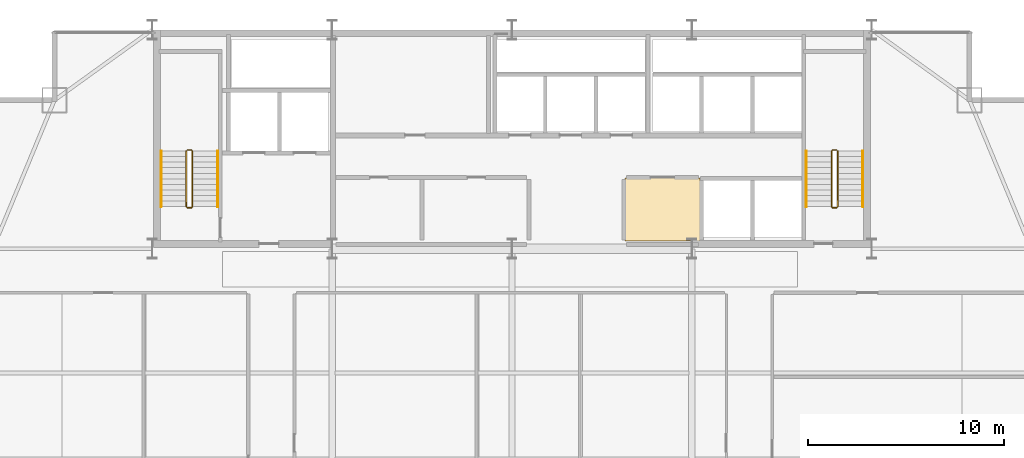
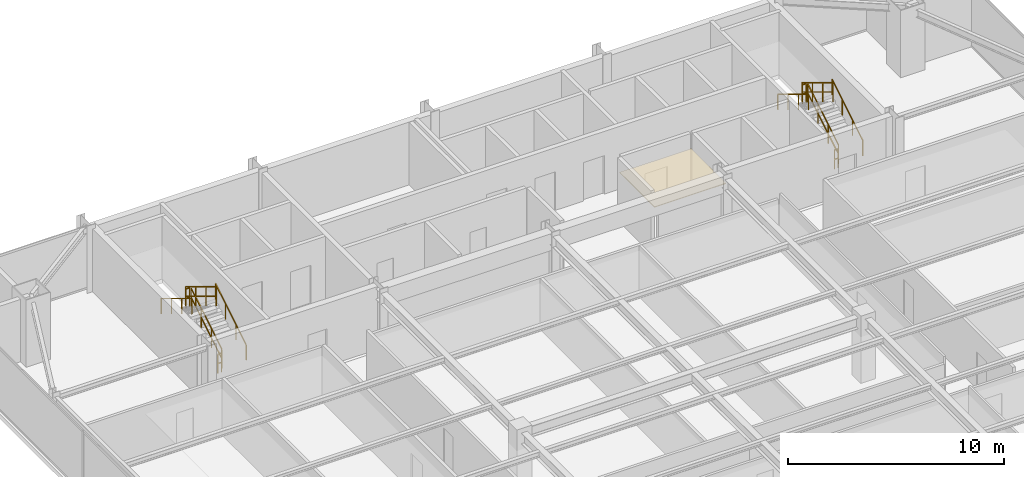
# One storey, part 31 of 31: 12 railings, 1 covering.
"""IFC4 building model written with IfcOpenShell, lengths in metres."""

from ifc_helpers import new_model, si_unit, direction, frame, origin, origin_2d, place, context, subcontext, project, spatial, polyline, rectangle, outline, extrude, material, layer, layer_set, type_object, element, save


model = new_model("IFC4")

# Units and contexts
model_context = context("Model", 3, precision=1e-05, world=origin(), true_north=direction((0.0, 1.0)))
body_context = subcontext(model_context, "Body", "Model", "MODEL_VIEW")
ifc_project = project(units=[si_unit("LENGTHUNIT", "METRE"), si_unit("AREAUNIT", "SQUARE_METRE"), si_unit("VOLUMEUNIT", "CUBIC_METRE"), si_unit("PLANEANGLEUNIT", "RADIAN"), si_unit("MASSUNIT", "GRAM", prefix="KILO")], contexts=[model_context])

# Site, building, storey
site_placement = place(None, origin())
site = spatial("IfcSite", under=ifc_project, at=site_placement, CompositionType="ELEMENT")
building_placement = place(site_placement, origin())
building = spatial("IfcBuilding", under=site, at=building_placement, Name="Varnel Quay Broadcast Tower", CompositionType="ELEMENT")
storey_placement = place(building_placement, frame((0.0, 0.0, 183.800048828125)))
storey = spatial("IfcBuildingStorey", under=building, at=storey_placement, Name="L45", CompositionType="ELEMENT", Elevation=183.800048828125)

# Covering
ifc_material_1 = material(Name="Micro-Perforated Acoustic Ceiling Tile")
ifc_layer = layer(ifc_material_1, 0.0400390625, Name="Micro-Perforated Acoustic Ceiling Tile")
ifc_layer_set = layer_set([ifc_layer], Name="Micro-Perforated Acoustic Ceiling Tile")
covering_type = type_object("IfcCoveringType", Name="Cov_AcousticCeiling", PredefinedType="CEILING", material=ifc_layer_set)
covering_placement = place(storey_placement, frame((0.0, 0.0, 2.579833984375)))
element("IfcCovering", 1, at=covering_placement, inside=storey, type_object=covering_type, Name="L45 Electrical Sub-Distribution Closet Acoustic Ceiling", PredefinedType="CEILING", context=body_context, shape_type="SweptSolid", body=[
    extrude(outline(polyline([(39.784912109375, 35.985107421875), (43.614990234375, 35.985107421875), (43.614990234375, 39.215087890625), (39.784912109375, 39.215087890625), (39.784912109375, 35.985107421875)])), origin(), (0.0, 0.0, 1.0), 0.0400390625),
])

# Railings
ifc_material_2 = material(Name="Painted Steel Guard and Handrail CSA G40.21 350W", Category="steel")
railing_type_1 = type_object("IfcRailingType", Name="Rail_StairGuard1100", PredefinedType="GUARDRAIL", material=ifc_material_2)
railing_1_placement = place(storey_placement, frame((17.64990234375, 37.75, 0.172607421875)))
element("IfcRailing", 2, at=railing_1_placement, inside=storey, type_object=railing_type_1, Name="L45 ST-01 stair guard 1", PredefinedType="GUARDRAIL", context=body_context, shape_type="SweptSolid", body=[
    extrude(rectangle(XDim=0.048095703125, YDim=0.048095703125, at=origin_2d()), frame((0.0, 0.0, 1.076171875), z_axis=(0.0, 0.855202751398, 0.518293598264), x_axis=(-1.0, 0.0, 0.0)), (0.0, 0.0, 1.0), 3.332763671875),
    extrude(rectangle(XDim=0.048095703125, YDim=0.048095703125, at=origin_2d()), frame((0.0, 0.0, 0.550048828125), z_axis=(0.0, 0.855202751398, 0.518293598264), x_axis=(-1.0, 0.0, 0.0)), (0.0, 0.0, 1.0), 3.332763671875),
    extrude(rectangle(XDim=0.0419921875, YDim=0.0419921875, at=origin_2d()), origin(), (0.0, 0.0, 1.0), 1.052001953125),
    extrude(rectangle(XDim=0.0419921875, YDim=0.0419921875, at=origin_2d()), frame((0.0, 0.949951171875, 0.57568359375)), (0.0, 0.0, 1.0), 1.052001953125),
    extrude(rectangle(XDim=0.0419921875, YDim=0.0419921875, at=origin_2d()), frame((0.0, 1.900146484375, 1.151611328125)), (0.0, 0.0, 1.0), 1.052001953125),
    extrude(rectangle(XDim=0.0419921875, YDim=0.0419921875, at=origin_2d()), frame((0.0, 2.85009765625, 1.727294921875)), (0.0, 0.0, 1.0), 1.052001953125),
])
railing_2_placement = place(storey_placement, frame((17.60009765625, 40.64990234375, 1.89990234375)))
element("IfcRailing", 3, at=railing_2_placement, inside=storey, type_object=railing_type_1, Name="L45 ST-01 stair guard 2", PredefinedType="GUARDRAIL", context=body_context, shape_type="SweptSolid", body=[
    extrude(rectangle(XDim=0.048095703125, YDim=0.048095703125, at=origin_2d()), frame((0.0, 0.0, 1.076171875), z_axis=(-1.0, 0.0, 0.0), x_axis=(0.0, -1.0, 0.0)), (0.0, 0.0, 1.0), 0.2001953125),
    extrude(rectangle(XDim=0.048095703125, YDim=0.048095703125, at=origin_2d()), frame((0.0, 0.0, 0.550048828125), z_axis=(-1.0, 0.0, 0.0), x_axis=(0.0, -1.0, 0.0)), (0.0, 0.0, 1.0), 0.2001953125),
    extrude(rectangle(XDim=0.0419921875, YDim=0.0419921875, at=origin_2d()), origin(), (0.0, 0.0, 1.0), 1.052001953125),
    extrude(rectangle(XDim=0.0419921875, YDim=0.0419921875, at=origin_2d()), frame((-0.2001953125, 0.0, 0.0)), (0.0, 0.0, 1.0), 1.052001953125),
])
railing_3_placement = place(storey_placement, frame((17.35009765625, 40.60009765625, 2.07275390625)))
element("IfcRailing", 4, at=railing_3_placement, inside=storey, type_object=railing_type_1, Name="L45 ST-01 stair guard 3", PredefinedType="GUARDRAIL", context=body_context, shape_type="SweptSolid", body=[
    extrude(rectangle(XDim=0.048095703125, YDim=0.048095703125, at=origin_2d()), frame((0.0, 0.0, 1.076171875), z_axis=(0.0, -0.855202751398, 0.518293598264), x_axis=(1.0, 0.0, 0.0)), (0.0, 0.0, 1.0), 3.332763671875),
    extrude(rectangle(XDim=0.048095703125, YDim=0.048095703125, at=origin_2d()), frame((0.0, 0.0, 0.550048828125), z_axis=(0.0, -0.855202751398, 0.518293598264), x_axis=(1.0, 0.0, 0.0)), (0.0, 0.0, 1.0), 3.332763671875),
    extrude(rectangle(XDim=0.0419921875, YDim=0.0419921875, at=origin_2d()), origin(), (0.0, 0.0, 1.0), 1.052001953125),
    extrude(rectangle(XDim=0.0419921875, YDim=0.0419921875, at=origin_2d()), frame((0.0, -0.949951171875, 0.57568359375)), (0.0, 0.0, 1.0), 1.052001953125),
    extrude(rectangle(XDim=0.0419921875, YDim=0.0419921875, at=origin_2d()), frame((0.0, -1.900146484375, 1.151611328125)), (0.0, 0.0, 1.0), 1.052001953125),
    extrude(rectangle(XDim=0.0419921875, YDim=0.0419921875, at=origin_2d()), frame((0.0, -2.85009765625, 1.727294921875)), (0.0, 0.0, 1.0), 1.052001953125),
])
railing_4_placement = place(storey_placement, frame((17.60009765625, 37.699951171875, 0.0)))
element("IfcRailing", 5, at=railing_4_placement, inside=storey, type_object=railing_type_1, Name="L45 ST-01 stair guard 4", PredefinedType="GUARDRAIL", context=body_context, shape_type="SweptSolid", body=[
    extrude(rectangle(XDim=0.048095703125, YDim=0.048095703125, at=origin_2d()), frame((0.0, 0.0, 1.076171875), z_axis=(-1.0, 0.0, 0.0), x_axis=(0.0, -1.0, 0.0)), (0.0, 0.0, 1.0), 0.2001953125),
    extrude(rectangle(XDim=0.048095703125, YDim=0.048095703125, at=origin_2d()), frame((0.0, 0.0, 0.550048828125), z_axis=(-1.0, 0.0, 0.0), x_axis=(0.0, -1.0, 0.0)), (0.0, 0.0, 1.0), 0.2001953125),
    extrude(rectangle(XDim=0.0419921875, YDim=0.0419921875, at=origin_2d()), origin(), (0.0, 0.0, 1.0), 1.052001953125),
    extrude(rectangle(XDim=0.0419921875, YDim=0.0419921875, at=origin_2d()), frame((-0.2001953125, 0.0, 0.0)), (0.0, 0.0, 1.0), 1.052001953125),
])
railing_5_placement = place(storey_placement, frame((50.64990234375, 37.75, 0.172607421875)))
element("IfcRailing", 6, at=railing_5_placement, inside=storey, type_object=railing_type_1, Name="L45 ST-02 stair guard 1", PredefinedType="GUARDRAIL", context=body_context, shape_type="SweptSolid", body=[
    extrude(rectangle(XDim=0.048095703125, YDim=0.048095703125, at=origin_2d()), frame((0.0, 0.0, 1.076171875), z_axis=(0.0, 0.855202751398, 0.518293598264), x_axis=(-1.0, 0.0, 0.0)), (0.0, 0.0, 1.0), 3.332763671875),
    extrude(rectangle(XDim=0.048095703125, YDim=0.048095703125, at=origin_2d()), frame((0.0, 0.0, 0.550048828125), z_axis=(0.0, 0.855202751398, 0.518293598264), x_axis=(-1.0, 0.0, 0.0)), (0.0, 0.0, 1.0), 3.332763671875),
    extrude(rectangle(XDim=0.0419921875, YDim=0.0419921875, at=origin_2d()), origin(), (0.0, 0.0, 1.0), 1.052001953125),
    extrude(rectangle(XDim=0.0419921875, YDim=0.0419921875, at=origin_2d()), frame((0.0, 0.949951171875, 0.57568359375)), (0.0, 0.0, 1.0), 1.052001953125),
    extrude(rectangle(XDim=0.0419921875, YDim=0.0419921875, at=origin_2d()), frame((0.0, 1.900146484375, 1.151611328125)), (0.0, 0.0, 1.0), 1.052001953125),
    extrude(rectangle(XDim=0.0419921875, YDim=0.0419921875, at=origin_2d()), frame((0.0, 2.85009765625, 1.727294921875)), (0.0, 0.0, 1.0), 1.052001953125),
])
railing_6_placement = place(storey_placement, frame((50.60009765625, 40.64990234375, 1.89990234375)))
element("IfcRailing", 7, at=railing_6_placement, inside=storey, type_object=railing_type_1, Name="L45 ST-02 stair guard 2", PredefinedType="GUARDRAIL", context=body_context, shape_type="SweptSolid", body=[
    extrude(rectangle(XDim=0.048095703125, YDim=0.048095703125, at=origin_2d()), frame((0.0, 0.0, 1.076171875), z_axis=(-1.0, 0.0, 0.0), x_axis=(0.0, -1.0, 0.0)), (0.0, 0.0, 1.0), 0.2001953125),
    extrude(rectangle(XDim=0.048095703125, YDim=0.048095703125, at=origin_2d()), frame((0.0, 0.0, 0.550048828125), z_axis=(-1.0, 0.0, 0.0), x_axis=(0.0, -1.0, 0.0)), (0.0, 0.0, 1.0), 0.2001953125),
    extrude(rectangle(XDim=0.0419921875, YDim=0.0419921875, at=origin_2d()), origin(), (0.0, 0.0, 1.0), 1.052001953125),
    extrude(rectangle(XDim=0.0419921875, YDim=0.0419921875, at=origin_2d()), frame((-0.2001953125, 0.0, 0.0)), (0.0, 0.0, 1.0), 1.052001953125),
])
railing_7_placement = place(storey_placement, frame((50.35009765625, 40.60009765625, 2.07275390625)))
element("IfcRailing", 8, at=railing_7_placement, inside=storey, type_object=railing_type_1, Name="L45 ST-02 stair guard 3", PredefinedType="GUARDRAIL", context=body_context, shape_type="SweptSolid", body=[
    extrude(rectangle(XDim=0.048095703125, YDim=0.048095703125, at=origin_2d()), frame((0.0, 0.0, 1.076171875), z_axis=(0.0, -0.855202751398, 0.518293598264), x_axis=(1.0, 0.0, 0.0)), (0.0, 0.0, 1.0), 3.332763671875),
    extrude(rectangle(XDim=0.048095703125, YDim=0.048095703125, at=origin_2d()), frame((0.0, 0.0, 0.550048828125), z_axis=(0.0, -0.855202751398, 0.518293598264), x_axis=(1.0, 0.0, 0.0)), (0.0, 0.0, 1.0), 3.332763671875),
    extrude(rectangle(XDim=0.0419921875, YDim=0.0419921875, at=origin_2d()), origin(), (0.0, 0.0, 1.0), 1.052001953125),
    extrude(rectangle(XDim=0.0419921875, YDim=0.0419921875, at=origin_2d()), frame((0.0, -0.949951171875, 0.57568359375)), (0.0, 0.0, 1.0), 1.052001953125),
    extrude(rectangle(XDim=0.0419921875, YDim=0.0419921875, at=origin_2d()), frame((0.0, -1.900146484375, 1.151611328125)), (0.0, 0.0, 1.0), 1.052001953125),
    extrude(rectangle(XDim=0.0419921875, YDim=0.0419921875, at=origin_2d()), frame((0.0, -2.85009765625, 1.727294921875)), (0.0, 0.0, 1.0), 1.052001953125),
])
railing_8_placement = place(storey_placement, frame((50.60009765625, 37.699951171875, 0.0)))
element("IfcRailing", 9, at=railing_8_placement, inside=storey, type_object=railing_type_1, Name="L45 ST-02 stair guard 4", PredefinedType="GUARDRAIL", context=body_context, shape_type="SweptSolid", body=[
    extrude(rectangle(XDim=0.048095703125, YDim=0.048095703125, at=origin_2d()), frame((0.0, 0.0, 1.076171875), z_axis=(-1.0, 0.0, 0.0), x_axis=(0.0, -1.0, 0.0)), (0.0, 0.0, 1.0), 0.2001953125),
    extrude(rectangle(XDim=0.048095703125, YDim=0.048095703125, at=origin_2d()), frame((0.0, 0.0, 0.550048828125), z_axis=(-1.0, 0.0, 0.0), x_axis=(0.0, -1.0, 0.0)), (0.0, 0.0, 1.0), 0.2001953125),
    extrude(rectangle(XDim=0.0419921875, YDim=0.0419921875, at=origin_2d()), origin(), (0.0, 0.0, 1.0), 1.052001953125),
    extrude(rectangle(XDim=0.0419921875, YDim=0.0419921875, at=origin_2d()), frame((-0.2001953125, 0.0, 0.0)), (0.0, 0.0, 1.0), 1.052001953125),
])
railing_type_2 = type_object("IfcRailingType", Name="Rail_StairHandrail900", PredefinedType="HANDRAIL", material=ifc_material_2)
railing_9_placement = place(storey_placement, frame((18.949951171875, 37.75, 0.172607421875)))
element("IfcRailing", 10, at=railing_9_placement, inside=storey, type_object=railing_type_2, Name="L45 ST-01 stair handrail 1", PredefinedType="HANDRAIL", context=body_context, shape_type="SweptSolid", body=[
    extrude(rectangle(XDim=0.048095703125, YDim=0.048095703125, at=origin_2d()), frame((0.0, 0.0, 0.8759765625), z_axis=(0.0, 0.855202751398, 0.518293598264), x_axis=(-1.0, 0.0, 0.0)), (0.0, 0.0, 1.0), 3.332763671875),
    extrude(rectangle(XDim=0.0419921875, YDim=0.0419921875, at=origin_2d()), origin(), (0.0, 0.0, 1.0), 0.851806640625),
    extrude(rectangle(XDim=0.0419921875, YDim=0.0419921875, at=origin_2d()), frame((0.0, 0.949951171875, 0.57568359375)), (0.0, 0.0, 1.0), 0.851806640625),
    extrude(rectangle(XDim=0.0419921875, YDim=0.0419921875, at=origin_2d()), frame((0.0, 1.900146484375, 1.151611328125)), (0.0, 0.0, 1.0), 0.851806640625),
    extrude(rectangle(XDim=0.0419921875, YDim=0.0419921875, at=origin_2d()), frame((0.0, 2.85009765625, 1.727294921875)), (0.0, 0.0, 1.0), 0.851806640625),
])
railing_10_placement = place(storey_placement, frame((16.050048828125, 40.60009765625, 2.07275390625)))
element("IfcRailing", 11, at=railing_10_placement, inside=storey, type_object=railing_type_2, Name="L45 ST-01 stair handrail 2", PredefinedType="HANDRAIL", context=body_context, shape_type="SweptSolid", body=[
    extrude(rectangle(XDim=0.048095703125, YDim=0.048095703125, at=origin_2d()), frame((0.0, 0.0, 0.8759765625), z_axis=(0.0, -0.855202751398, 0.518293598264), x_axis=(1.0, 0.0, 0.0)), (0.0, 0.0, 1.0), 3.332763671875),
    extrude(rectangle(XDim=0.0419921875, YDim=0.0419921875, at=origin_2d()), origin(), (0.0, 0.0, 1.0), 0.851806640625),
    extrude(rectangle(XDim=0.0419921875, YDim=0.0419921875, at=origin_2d()), frame((0.0, -0.949951171875, 0.57568359375)), (0.0, 0.0, 1.0), 0.851806640625),
    extrude(rectangle(XDim=0.0419921875, YDim=0.0419921875, at=origin_2d()), frame((0.0, -1.900146484375, 1.151611328125)), (0.0, 0.0, 1.0), 0.851806640625),
    extrude(rectangle(XDim=0.0419921875, YDim=0.0419921875, at=origin_2d()), frame((0.0, -2.85009765625, 1.727294921875)), (0.0, 0.0, 1.0), 0.851806640625),
])
railing_11_placement = place(storey_placement, frame((51.949951171875, 37.75, 0.172607421875)))
element("IfcRailing", 12, at=railing_11_placement, inside=storey, type_object=railing_type_2, Name="L45 ST-02 stair handrail 1", PredefinedType="HANDRAIL", context=body_context, shape_type="SweptSolid", body=[
    extrude(rectangle(XDim=0.048095703125, YDim=0.048095703125, at=origin_2d()), frame((0.0, 0.0, 0.8759765625), z_axis=(0.0, 0.855202751398, 0.518293598264), x_axis=(-1.0, 0.0, 0.0)), (0.0, 0.0, 1.0), 3.332763671875),
    extrude(rectangle(XDim=0.0419921875, YDim=0.0419921875, at=origin_2d()), origin(), (0.0, 0.0, 1.0), 0.851806640625),
    extrude(rectangle(XDim=0.0419921875, YDim=0.0419921875, at=origin_2d()), frame((0.0, 0.949951171875, 0.57568359375)), (0.0, 0.0, 1.0), 0.851806640625),
    extrude(rectangle(XDim=0.0419921875, YDim=0.0419921875, at=origin_2d()), frame((0.0, 1.900146484375, 1.151611328125)), (0.0, 0.0, 1.0), 0.851806640625),
    extrude(rectangle(XDim=0.0419921875, YDim=0.0419921875, at=origin_2d()), frame((0.0, 2.85009765625, 1.727294921875)), (0.0, 0.0, 1.0), 0.851806640625),
])
railing_12_placement = place(storey_placement, frame((49.050048828125, 40.60009765625, 2.07275390625)))
element("IfcRailing", 13, at=railing_12_placement, inside=storey, type_object=railing_type_2, Name="L45 ST-02 stair handrail 2", PredefinedType="HANDRAIL", context=body_context, shape_type="SweptSolid", body=[
    extrude(rectangle(XDim=0.048095703125, YDim=0.048095703125, at=origin_2d()), frame((0.0, 0.0, 0.8759765625), z_axis=(0.0, -0.855202751398, 0.518293598264), x_axis=(1.0, 0.0, 0.0)), (0.0, 0.0, 1.0), 3.332763671875),
    extrude(rectangle(XDim=0.0419921875, YDim=0.0419921875, at=origin_2d()), origin(), (0.0, 0.0, 1.0), 0.851806640625),
    extrude(rectangle(XDim=0.0419921875, YDim=0.0419921875, at=origin_2d()), frame((0.0, -0.949951171875, 0.57568359375)), (0.0, 0.0, 1.0), 0.851806640625),
    extrude(rectangle(XDim=0.0419921875, YDim=0.0419921875, at=origin_2d()), frame((0.0, -1.900146484375, 1.151611328125)), (0.0, 0.0, 1.0), 0.851806640625),
    extrude(rectangle(XDim=0.0419921875, YDim=0.0419921875, at=origin_2d()), frame((0.0, -2.85009765625, 1.727294921875)), (0.0, 0.0, 1.0), 0.851806640625),
])

save(model, "model.ifc")
